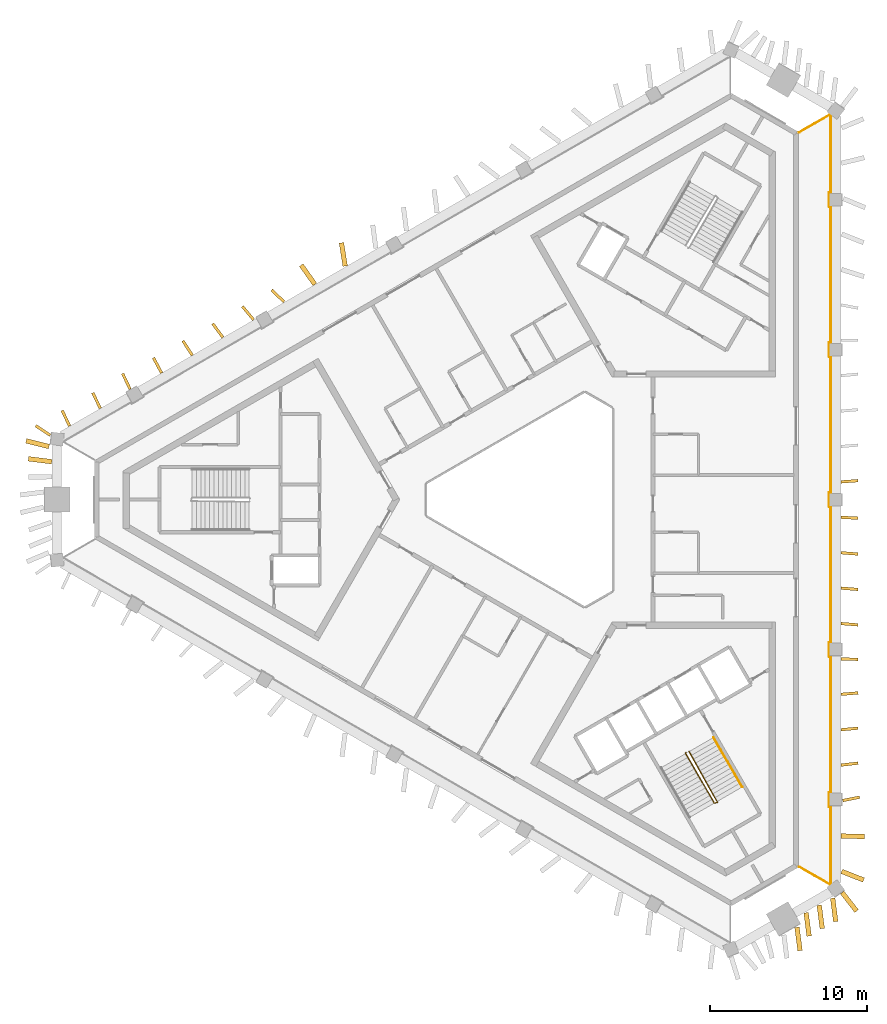
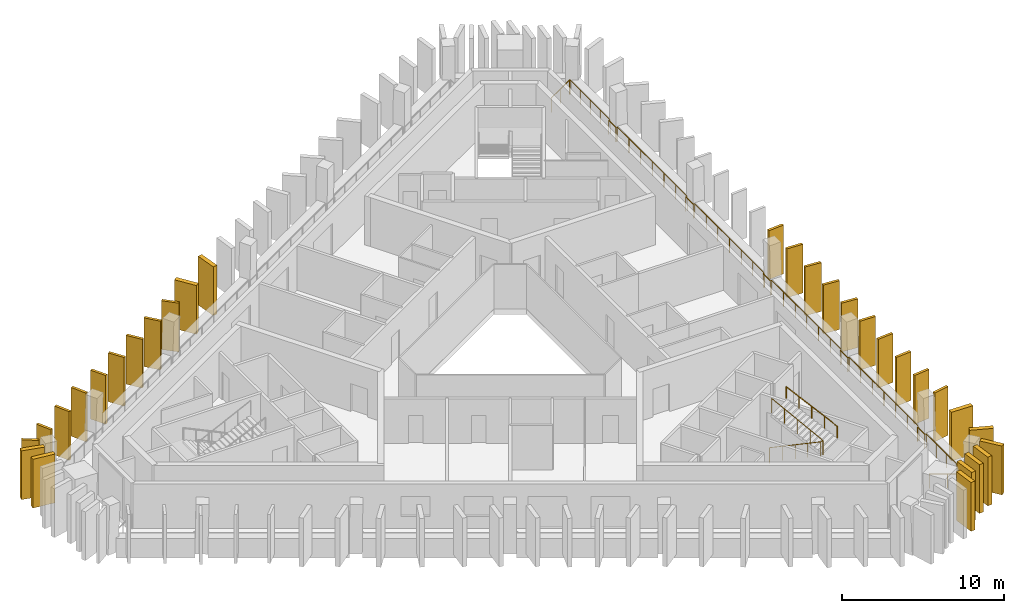
# One storey, part 7 of 8: 30 shading devices, 3 railings.
"""IFC4 building model written with IfcOpenShell, lengths in metres."""

from ifc_helpers import new_model, si_unit, direction, frame, frame_2d, origin, origin_2d, place, context, subcontext, project, spatial, rectangle, circle, extrude, material, layer, layer_set, type_object, element, save


model = new_model("IFC4")

# Units and contexts
model_context = context("Model", 3, precision=1e-05, world=origin(), true_north=direction((0.0, 1.0)))
body_context = subcontext(model_context, "Body", "Model", "MODEL_VIEW")
ifc_project = project(units=[si_unit("LENGTHUNIT", "METRE"), si_unit("AREAUNIT", "SQUARE_METRE"), si_unit("VOLUMEUNIT", "CUBIC_METRE"), si_unit("PLANEANGLEUNIT", "RADIAN"), si_unit("MASSUNIT", "GRAM", prefix="KILO")], contexts=[model_context])

# Site, building, storey
site_placement = place(None, origin())
site = spatial("IfcSite", under=ifc_project, at=site_placement, CompositionType="ELEMENT")
building_placement = place(site_placement, origin())
building = spatial("IfcBuilding", under=site, at=building_placement, Name="Jabali Bay Hotel Tower and Convention Centre", CompositionType="ELEMENT")
storey_placement = place(building_placement, frame((0.0, 0.0, 292.300048828125)))
storey = spatial("IfcBuildingStorey", under=building, at=storey_placement, Name="L72", CompositionType="ELEMENT", Elevation=292.300048828125)

# Railing
ifc_material_1 = material(Name="Glass", Category="glass")
railing_type_1 = type_object("IfcRailingType", Name="Loggia glass guard 1100", PredefinedType="BALUSTRADE", material=ifc_material_1)
railing_1_placement = place(storey_placement, frame((91.404541015625, 103.358154296875, 0.0)))
element("IfcRailing", 1, at=railing_1_placement, inside=storey, type_object=railing_type_1, Name="Loggia glass guard L72", PredefinedType="BALUSTRADE", context=body_context, shape_type="SweptSolid", body=[
    extrude(circle(Radius=0.02490234375, at=origin_2d()), frame((0.0, 0.0, 1.0751953125), z_axis=(0.866035472144, 0.499982560684, 0.0), x_axis=(-0.495705140567, 0.858626418625, 0.13052619222)), (0.0, 0.0, 1.0), 2.27490234375),
    extrude(circle(Radius=0.02490234375, at=origin_2d()), frame((1.97021484375, 1.137451171875, 1.0751953125), z_axis=(0.798426583615, -0.602092177808, 0.0), x_axis=(0.596941195761, 0.791595933509, 0.13052619222)), (0.0, 0.0, 1.0), 0.037353515625),
    extrude(circle(Radius=0.02490234375, at=origin_2d()), frame((2.0, 1.114990234375, 1.0751953125), z_axis=(0.0, -1.0, 0.0), x_axis=(0.991444861374, 0.0, 0.13052619222)), (0.0, 0.0, 1.0), 4.937744140625),
    extrude(circle(Radius=0.02490234375, at=origin_2d()), frame((2.0, -3.82275390625, 1.0751953125), z_axis=(-1.0, 0.0, 0.0), x_axis=(0.0, -0.991444861374, 0.13052619222)), (0.0, 0.0, 1.0), 0.10009765625),
    extrude(circle(Radius=0.02490234375, at=origin_2d()), frame((1.89990234375, -3.82275390625, 1.0751953125), z_axis=(0.0, -1.0, 0.0), x_axis=(0.991444861374, 0.0, 0.13052619222)), (0.0, 0.0, 1.0), 0.89990234375),
    extrude(circle(Radius=0.02490234375, at=origin_2d()), frame((1.89990234375, -4.72265625, 1.0751953125), z_axis=(1.0, 0.0, 0.0), x_axis=(0.0, 0.991444861374, 0.13052619222)), (0.0, 0.0, 1.0), 0.10009765625),
    extrude(circle(Radius=0.02490234375, at=origin_2d()), frame((2.0, -4.72265625, 1.0751953125), z_axis=(0.0, -1.0, 0.0), x_axis=(0.991444861374, 0.0, 0.13052619222)), (0.0, 0.0, 1.0), 8.642822265625),
    extrude(circle(Radius=0.02490234375, at=origin_2d()), frame((2.0, -13.365478515625, 1.0751953125), z_axis=(-1.0, 0.0, 0.0), x_axis=(0.0, -0.991444861374, 0.13052619222)), (0.0, 0.0, 1.0), 0.10009765625),
    extrude(circle(Radius=0.02490234375, at=origin_2d()), frame((1.89990234375, -13.365478515625, 1.0751953125), z_axis=(0.0, -1.0, 0.0), x_axis=(0.991444861374, 0.0, 0.13052619222)), (0.0, 0.0, 1.0), 0.89990234375),
    extrude(circle(Radius=0.02490234375, at=origin_2d()), frame((1.89990234375, -14.265380859375, 1.0751953125), z_axis=(1.0, 0.0, 0.0), x_axis=(0.0, 0.991444861374, 0.13052619222)), (0.0, 0.0, 1.0), 0.10009765625),
    extrude(circle(Radius=0.02490234375, at=origin_2d()), frame((2.0, -14.265380859375, 1.0751953125), z_axis=(0.0, -1.0, 0.0), x_axis=(0.991444861374, 0.0, 0.13052619222)), (0.0, 0.0, 1.0), 8.642822265625),
    extrude(circle(Radius=0.02490234375, at=origin_2d()), frame((2.0, -22.908203125, 1.0751953125), z_axis=(-1.0, 0.0, 0.0), x_axis=(0.0, -0.991444861374, 0.13052619222)), (0.0, 0.0, 1.0), 0.10009765625),
    extrude(circle(Radius=0.02490234375, at=origin_2d()), frame((1.89990234375, -22.908203125, 1.0751953125), z_axis=(0.0, -1.0, 0.0), x_axis=(0.991444861374, 0.0, 0.13052619222)), (0.0, 0.0, 1.0), 0.89990234375),
    extrude(circle(Radius=0.02490234375, at=origin_2d()), frame((1.89990234375, -23.80810546875, 1.0751953125), z_axis=(1.0, 0.0, 0.0), x_axis=(0.0, 0.991444861374, 0.13052619222)), (0.0, 0.0, 1.0), 0.10009765625),
    extrude(circle(Radius=0.02490234375, at=origin_2d()), frame((2.0, -23.80810546875, 1.0751953125), z_axis=(0.0, -1.0, 0.0), x_axis=(0.991444861374, 0.0, 0.13052619222)), (0.0, 0.0, 1.0), 8.642822265625),
    extrude(circle(Radius=0.02490234375, at=origin_2d()), frame((2.0, -32.450927734375, 1.0751953125), z_axis=(-1.0, 0.0, 0.0), x_axis=(0.0, -0.991444861374, 0.13052619222)), (0.0, 0.0, 1.0), 0.10009765625),
    extrude(circle(Radius=0.02490234375, at=origin_2d()), frame((1.89990234375, -32.450927734375, 1.0751953125), z_axis=(0.0, -1.0, 0.0), x_axis=(0.991444861374, 0.0, 0.13052619222)), (0.0, 0.0, 1.0), 0.89990234375),
    extrude(circle(Radius=0.02490234375, at=origin_2d()), frame((1.89990234375, -33.350830078125, 1.0751953125), z_axis=(1.0, 0.0, 0.0), x_axis=(0.0, 0.991444861374, 0.13052619222)), (0.0, 0.0, 1.0), 0.10009765625),
    extrude(circle(Radius=0.02490234375, at=origin_2d()), frame((2.0, -33.350830078125, 1.0751953125), z_axis=(0.0, -1.0, 0.0), x_axis=(0.991444861374, 0.0, 0.13052619222)), (0.0, 0.0, 1.0), 8.642822265625),
    extrude(circle(Radius=0.02490234375, at=origin_2d()), frame((2.0, -41.99365234375, 1.0751953125), z_axis=(-1.0, 0.0, 0.0), x_axis=(0.0, -0.991444861374, 0.13052619222)), (0.0, 0.0, 1.0), 0.10009765625),
    extrude(circle(Radius=0.02490234375, at=origin_2d()), frame((1.89990234375, -41.99365234375, 1.0751953125), z_axis=(0.0, -1.0, 0.0), x_axis=(0.991444861374, 0.0, 0.13052619222)), (0.0, 0.0, 1.0), 0.89990234375),
    extrude(circle(Radius=0.02490234375, at=origin_2d()), frame((1.89990234375, -42.8935546875, 1.0751953125), z_axis=(1.0, 0.0, 0.0), x_axis=(0.0, 0.991444861374, 0.13052619222)), (0.0, 0.0, 1.0), 0.10009765625),
    extrude(circle(Radius=0.02490234375, at=origin_2d()), frame((2.0, -42.8935546875, 1.0751953125), z_axis=(0.0, -1.0, 0.0), x_axis=(0.991444861374, 0.0, 0.13052619222)), (0.0, 0.0, 1.0), 4.937744140625),
    extrude(circle(Radius=0.02490234375, at=origin_2d()), frame((2.0, -47.831298828125, 1.0751953125), z_axis=(-0.798426583615, -0.602092177808, 0.0), x_axis=(0.596941195761, -0.791595933509, 0.13052619222)), (0.0, 0.0, 1.0), 0.037353515625),
    extrude(circle(Radius=0.02490234375, at=origin_2d()), frame((1.97021484375, -47.853759765625, 1.0751953125), z_axis=(-0.866035472144, 0.499982560684, 0.0), x_axis=(-0.495705140567, -0.858626418625, 0.13052619222)), (0.0, 0.0, 1.0), 2.27490234375),
    extrude(circle(Radius=0.02001953125, at=origin_2d()), origin(), (0.0, 0.0, 1.0), 1.050048828125),
    extrude(circle(Radius=0.02001953125, at=origin_2d()), frame((0.985107421875, 0.56884765625, 0.0)), (0.0, 0.0, 1.0), 1.050048828125),
    extrude(circle(Radius=0.02001953125, at=origin_2d()), frame((1.97021484375, 1.137451171875, 0.0)), (0.0, 0.0, 1.0), 1.050048828125),
    extrude(circle(Radius=0.02001953125, at=origin_2d()), frame((2.0, 1.114990234375, 0.0)), (0.0, 0.0, 1.0), 1.050048828125),
    extrude(circle(Radius=0.02001953125, at=origin_2d()), frame((2.0, -0.119384765625, 0.0)), (0.0, 0.0, 1.0), 1.050048828125),
    extrude(circle(Radius=0.02001953125, at=origin_2d()), frame((2.0, -1.35400390625, 0.0)), (0.0, 0.0, 1.0), 1.050048828125),
    extrude(circle(Radius=0.02001953125, at=origin_2d()), frame((2.0, -2.58837890625, 0.0)), (0.0, 0.0, 1.0), 1.050048828125),
    extrude(circle(Radius=0.02001953125, at=origin_2d()), frame((2.0, -3.82275390625, 0.0)), (0.0, 0.0, 1.0), 1.050048828125),
    extrude(circle(Radius=0.02001953125, at=origin_2d()), frame((1.89990234375, -3.82275390625, 0.0)), (0.0, 0.0, 1.0), 1.050048828125),
    extrude(circle(Radius=0.02001953125, at=origin_2d()), frame((1.89990234375, -4.72265625, 0.0)), (0.0, 0.0, 1.0), 1.050048828125),
    extrude(circle(Radius=0.02001953125, at=origin_2d()), frame((2.0, -4.72265625, 0.0)), (0.0, 0.0, 1.0), 1.050048828125),
    extrude(circle(Radius=0.02001953125, at=origin_2d()), frame((2.0, -6.1630859375, 0.0)), (0.0, 0.0, 1.0), 1.050048828125),
    extrude(circle(Radius=0.02001953125, at=origin_2d()), frame((2.0, -7.603515625, 0.0)), (0.0, 0.0, 1.0), 1.050048828125),
    extrude(circle(Radius=0.02001953125, at=origin_2d()), frame((2.0, -9.0439453125, 0.0)), (0.0, 0.0, 1.0), 1.050048828125),
    extrude(circle(Radius=0.02001953125, at=origin_2d()), frame((2.0, -10.484619140625, 0.0)), (0.0, 0.0, 1.0), 1.050048828125),
    extrude(circle(Radius=0.02001953125, at=origin_2d()), frame((2.0, -11.925048828125, 0.0)), (0.0, 0.0, 1.0), 1.050048828125),
    extrude(circle(Radius=0.02001953125, at=origin_2d()), frame((2.0, -13.365478515625, 0.0)), (0.0, 0.0, 1.0), 1.050048828125),
    extrude(circle(Radius=0.02001953125, at=origin_2d()), frame((1.89990234375, -13.365478515625, 0.0)), (0.0, 0.0, 1.0), 1.050048828125),
    extrude(circle(Radius=0.02001953125, at=origin_2d()), frame((1.89990234375, -14.265380859375, 0.0)), (0.0, 0.0, 1.0), 1.050048828125),
    extrude(circle(Radius=0.02001953125, at=origin_2d()), frame((2.0, -14.265380859375, 0.0)), (0.0, 0.0, 1.0), 1.050048828125),
    extrude(circle(Radius=0.02001953125, at=origin_2d()), frame((2.0, -15.705810546875, 0.0)), (0.0, 0.0, 1.0), 1.050048828125),
    extrude(circle(Radius=0.02001953125, at=origin_2d()), frame((2.0, -17.146240234375, 0.0)), (0.0, 0.0, 1.0), 1.050048828125),
    extrude(circle(Radius=0.02001953125, at=origin_2d()), frame((2.0, -18.5869140625, 0.0)), (0.0, 0.0, 1.0), 1.050048828125),
    extrude(circle(Radius=0.02001953125, at=origin_2d()), frame((2.0, -20.02734375, 0.0)), (0.0, 0.0, 1.0), 1.050048828125),
    extrude(circle(Radius=0.02001953125, at=origin_2d()), frame((2.0, -21.4677734375, 0.0)), (0.0, 0.0, 1.0), 1.050048828125),
    extrude(circle(Radius=0.02001953125, at=origin_2d()), frame((2.0, -22.908203125, 0.0)), (0.0, 0.0, 1.0), 1.050048828125),
    extrude(circle(Radius=0.02001953125, at=origin_2d()), frame((1.89990234375, -22.908203125, 0.0)), (0.0, 0.0, 1.0), 1.050048828125),
    extrude(circle(Radius=0.02001953125, at=origin_2d()), frame((1.89990234375, -23.80810546875, 0.0)), (0.0, 0.0, 1.0), 1.050048828125),
    extrude(circle(Radius=0.02001953125, at=origin_2d()), frame((2.0, -23.80810546875, 0.0)), (0.0, 0.0, 1.0), 1.050048828125),
    extrude(circle(Radius=0.02001953125, at=origin_2d()), frame((2.0, -25.24853515625, 0.0)), (0.0, 0.0, 1.0), 1.050048828125),
    extrude(circle(Radius=0.02001953125, at=origin_2d()), frame((2.0, -26.68896484375, 0.0)), (0.0, 0.0, 1.0), 1.050048828125),
    extrude(circle(Radius=0.02001953125, at=origin_2d()), frame((2.0, -28.12939453125, 0.0)), (0.0, 0.0, 1.0), 1.050048828125),
    extrude(circle(Radius=0.02001953125, at=origin_2d()), frame((2.0, -29.570068359375, 0.0)), (0.0, 0.0, 1.0), 1.050048828125),
    extrude(circle(Radius=0.02001953125, at=origin_2d()), frame((2.0, -31.010498046875, 0.0)), (0.0, 0.0, 1.0), 1.050048828125),
    extrude(circle(Radius=0.02001953125, at=origin_2d()), frame((2.0, -32.450927734375, 0.0)), (0.0, 0.0, 1.0), 1.050048828125),
    extrude(circle(Radius=0.02001953125, at=origin_2d()), frame((1.89990234375, -32.450927734375, 0.0)), (0.0, 0.0, 1.0), 1.050048828125),
    extrude(circle(Radius=0.02001953125, at=origin_2d()), frame((1.89990234375, -33.350830078125, 0.0)), (0.0, 0.0, 1.0), 1.050048828125),
    extrude(circle(Radius=0.02001953125, at=origin_2d()), frame((2.0, -33.350830078125, 0.0)), (0.0, 0.0, 1.0), 1.050048828125),
    extrude(circle(Radius=0.02001953125, at=origin_2d()), frame((2.0, -34.791259765625, 0.0)), (0.0, 0.0, 1.0), 1.050048828125),
    extrude(circle(Radius=0.02001953125, at=origin_2d()), frame((2.0, -36.231689453125, 0.0)), (0.0, 0.0, 1.0), 1.050048828125),
    extrude(circle(Radius=0.02001953125, at=origin_2d()), frame((2.0, -37.67236328125, 0.0)), (0.0, 0.0, 1.0), 1.050048828125),
    extrude(circle(Radius=0.02001953125, at=origin_2d()), frame((2.0, -39.11279296875, 0.0)), (0.0, 0.0, 1.0), 1.050048828125),
    extrude(circle(Radius=0.02001953125, at=origin_2d()), frame((2.0, -40.55322265625, 0.0)), (0.0, 0.0, 1.0), 1.050048828125),
    extrude(circle(Radius=0.02001953125, at=origin_2d()), frame((2.0, -41.99365234375, 0.0)), (0.0, 0.0, 1.0), 1.050048828125),
    extrude(circle(Radius=0.02001953125, at=origin_2d()), frame((1.89990234375, -41.99365234375, 0.0)), (0.0, 0.0, 1.0), 1.050048828125),
    extrude(circle(Radius=0.02001953125, at=origin_2d()), frame((1.89990234375, -42.8935546875, 0.0)), (0.0, 0.0, 1.0), 1.050048828125),
    extrude(circle(Radius=0.02001953125, at=origin_2d()), frame((2.0, -42.8935546875, 0.0)), (0.0, 0.0, 1.0), 1.050048828125),
    extrude(circle(Radius=0.02001953125, at=origin_2d()), frame((2.0, -44.1279296875, 0.0)), (0.0, 0.0, 1.0), 1.050048828125),
    extrude(circle(Radius=0.02001953125, at=origin_2d()), frame((2.0, -45.3623046875, 0.0)), (0.0, 0.0, 1.0), 1.050048828125),
    extrude(circle(Radius=0.02001953125, at=origin_2d()), frame((2.0, -46.596923828125, 0.0)), (0.0, 0.0, 1.0), 1.050048828125),
    extrude(circle(Radius=0.02001953125, at=origin_2d()), frame((2.0, -47.831298828125, 0.0)), (0.0, 0.0, 1.0), 1.050048828125),
    extrude(circle(Radius=0.02001953125, at=origin_2d()), frame((1.97021484375, -47.853759765625, 0.0)), (0.0, 0.0, 1.0), 1.050048828125),
    extrude(circle(Radius=0.02001953125, at=origin_2d()), frame((0.985107421875, -47.28515625, 0.0)), (0.0, 0.0, 1.0), 1.050048828125),
    extrude(circle(Radius=0.02001953125, at=origin_2d()), frame((0.0, -46.71630859375, 0.0)), (0.0, 0.0, 1.0), 1.050048828125),
])

# Shading devices
ifc_material_2 = material(Name="Precast concrete C60", Category="concrete")
ifc_layer_1 = layer(ifc_material_2, 0.179931640625)
ifc_layer_set_1 = layer_set([ifc_layer_1], Name="Precast concrete C60")
shading_device_type_1 = type_object("IfcShadingDeviceType", Name="Precast fin 3680 x 1100", PredefinedType="USERDEFINED", material=ifc_layer_set_1)
shading_device_1_placement = place(storey_placement, frame((94.172119140625, 60.857666015625, 0.010009765625), z_axis=(0.0, 0.0, 1.0), x_axis=(0.980512312824, 0.196457640219, 0.0)))
element("IfcShadingDevice", 2, at=shading_device_1_placement, inside=storey, type_object=shading_device_type_1, Name="Fin L72 002", ObjectType="FIN", PredefinedType="USERDEFINED", context=body_context, shape_type="SweptSolid", body=[
    extrude(rectangle(XDim=1.099853515625, YDim=0.179931640625, at=frame_2d((0.5498046875, 0.0))), origin(), (0.0, 0.0, 1.0), 3.679931640625),
])
for number, where, z_axis, x_axis, name in (
    (3, (94.057373046875, 63.109619140625, 0.010009765625), (0.0, 0.0, 1.0), (0.993033475838, 0.117832575569, 0.0), "Fin L72 003"),
    (4, (94.054931640625, 65.361572265625, 0.010009765625), (0.0, 0.0, 1.0), (0.995891387001, 0.090555757944, 0.0), "Fin L72 004"),
    (5, (94.05419921875, 67.61376953125, 0.010009765625), (0.0, 0.0, 1.0), (0.996568675708, 0.082770010251, 0.0), "Fin L72 005"),
    (6, (94.04931640625, 69.86572265625, 0.010009765625), (0.0, 0.0, 1.0), (0.999639330866, -0.026855319502, 0.0), "Fin L72 006"),
    (7, (94.053955078125, 72.117919921875, 0.010009765625), (0.0, 0.0, 1.0), (0.996821625753, -0.079665842308, 0.0), "Fin L72 007"),
    (8, (94.053955078125, 74.369873046875, 0.010009765625), (0.0, 0.0, 1.0), (0.996839224167, -0.079445334428, 0.0), "Fin L72 008"),
    (9, (94.053955078125, 76.621826171875, 0.010009765625), (0.0, 0.0, 1.0), (0.99685677442, -0.079224814886, 0.0), "Fin L72 009"),
):
    element("IfcShadingDevice", number, at=place(storey_placement, frame(where, z_axis=z_axis, x_axis=x_axis)), inside=storey, type_object=shading_device_type_1, Name=name, ObjectType="FIN", PredefinedType="USERDEFINED", context=body_context, shape_type="SweptSolid", body=[
        extrude(rectangle(XDim=1.10009765625, YDim=0.179931640625, at=frame_2d((0.550048828125, 0.0))), origin(), (0.0, 0.0, 1.0), 3.679931640625),
    ])
for number, where, z_axis, x_axis, name in (
    (10, (94.051513671875, 78.8740234375, 0.010009765625), (0.0, 0.0, 1.0), (0.998707096546, -0.050834391, 0.0), "Fin L72 010"),
    (11, (94.053466796875, 81.1259765625, 0.010009765625), (0.0, 0.0, 1.0), (0.997329781768, 0.073029489918, 0.0), "Fin L72 011"),
):
    element("IfcShadingDevice", number, at=place(storey_placement, frame(where, z_axis=z_axis, x_axis=x_axis)), inside=storey, type_object=shading_device_type_1, Name=name, ObjectType="FIN", PredefinedType="USERDEFINED", context=body_context, shape_type="SweptSolid", body=[
        extrude(rectangle(XDim=1.099853515625, YDim=0.179931640625, at=frame_2d((0.5498046875, 0.0))), origin(), (0.0, 0.0, 1.0), 3.679931640625),
    ])
for number, where, z_axis, x_axis, name in (
    (12, (58.637939453125, 92.57568359375, 0.010009765625), (0.0, 0.0, 1.0), (-0.721710987806, 0.692194517517, 0.0), "Fin L72 044"),
    (13, (56.692626953125, 91.44091796875, 0.010009765625), (0.0, 0.0, 1.0), (-0.637758436736, 0.770236441862, 0.0), "Fin L72 045"),
):
    element("IfcShadingDevice", number, at=place(storey_placement, frame(where, z_axis=z_axis, x_axis=x_axis)), inside=storey, type_object=shading_device_type_1, Name=name, ObjectType="FIN", PredefinedType="USERDEFINED", context=body_context, shape_type="SweptSolid", body=[
        extrude(rectangle(XDim=1.10009765625, YDim=0.179931640625, at=frame_2d((0.550048828125, 0.0))), origin(), (0.0, 0.0, 1.0), 3.679931640625),
    ])
shading_device_2_placement = place(storey_placement, frame((54.744873046875, 90.310302734375, 0.010009765625), z_axis=(0.0, 0.0, 1.0), x_axis=(-0.589292908967, 0.807919468414, 0.0)))
element("IfcShadingDevice", 14, at=shading_device_2_placement, inside=storey, type_object=shading_device_type_1, Name="Fin L72 046", ObjectType="FIN", PredefinedType="USERDEFINED", context=body_context, shape_type="SweptSolid", body=[
    extrude(rectangle(XDim=1.099853515625, YDim=0.179931640625, at=frame_2d((0.5498046875, 0.0))), origin(), (0.0, 0.0, 1.0), 3.679931640625),
])
shading_device_3_placement = place(storey_placement, frame((52.797119140625, 89.1796875, 0.010009765625), z_axis=(0.0, 0.0, 1.0), x_axis=(-0.542192585058, 0.840254247658, 0.0)))
element("IfcShadingDevice", 15, at=shading_device_3_placement, inside=storey, type_object=shading_device_type_1, Name="Fin L72 047", ObjectType="FIN", PredefinedType="USERDEFINED", context=body_context, shape_type="SweptSolid", body=[
    extrude(rectangle(XDim=1.10009765625, YDim=0.179931640625, at=frame_2d((0.550048828125, 0.0))), origin(), (0.0, 0.0, 1.0), 3.679931640625),
])
shading_device_4_placement = place(storey_placement, frame((50.84765625, 88.052490234375, 0.010009765625), z_axis=(0.0, 0.0, 1.0), x_axis=(-0.471901080616, 0.881651501509, 0.0)))
element("IfcShadingDevice", 16, at=shading_device_4_placement, inside=storey, type_object=shading_device_type_1, Name="Fin L72 048", ObjectType="FIN", PredefinedType="USERDEFINED", context=body_context, shape_type="SweptSolid", body=[
    extrude(rectangle(XDim=1.099853515625, YDim=0.179931640625, at=frame_2d((0.5498046875, 0.0))), origin(), (0.0, 0.0, 1.0), 3.679931640625),
])
for number, where, z_axis, x_axis, name in (
    (17, (48.84130859375, 87.023193359375, 0.010009765625), (0.0, 0.0, 1.0), (-0.429011543088, 0.903299006917, 0.0), "Fin L72 049"),
    (18, (46.94482421875, 85.803955078125, 0.010009765625), (0.0, 0.0, 1.0), (-0.429459687257, 0.90308602969, 0.0), "Fin L72 050"),
):
    element("IfcShadingDevice", number, at=place(storey_placement, frame(where, z_axis=z_axis, x_axis=x_axis)), inside=storey, type_object=shading_device_type_1, Name=name, ObjectType="FIN", PredefinedType="USERDEFINED", context=body_context, shape_type="SweptSolid", body=[
        extrude(rectangle(XDim=1.10009765625, YDim=0.179931640625, at=frame_2d((0.550048828125, 0.0))), origin(), (0.0, 0.0, 1.0), 3.679931640625),
    ])
shading_device_5_placement = place(storey_placement, frame((44.994384765625, 84.677978515625, 0.010009765625), z_axis=(0.0, 0.0, 1.0), x_axis=(-0.429726783493, 0.902958964488, 0.0)))
element("IfcShadingDevice", 19, at=shading_device_5_placement, inside=storey, type_object=shading_device_type_1, Name="Fin L72 051", ObjectType="FIN", PredefinedType="USERDEFINED", context=body_context, shape_type="SweptSolid", body=[
    extrude(rectangle(XDim=1.099853515625, YDim=0.179931640625, at=frame_2d((0.5498046875, 0.0))), origin(), (0.0, 0.0, 1.0), 3.679931640625),
])
shading_device_6_placement = place(storey_placement, frame((43.755859375, 84.09423828125, 0.010009765625), z_axis=(0.0, 0.0, 1.0), x_axis=(-0.83385558936, 0.551982659233, 0.0)))
element("IfcShadingDevice", 20, at=shading_device_6_placement, inside=storey, type_object=shading_device_type_1, Name="Fin L72 093", ObjectType="FIN", PredefinedType="USERDEFINED", context=body_context, shape_type="SweptSolid", body=[
    extrude(rectangle(XDim=1.10009765625, YDim=0.179931640625, at=frame_2d((0.550048828125, 0.0))), origin(), (0.0, 0.0, 1.0), 3.679931640625),
])
ifc_layer_2 = layer(ifc_material_2, 0.300048828125)
ifc_layer_set_2 = layer_set([ifc_layer_2], Name="Precast concrete C60")
shading_device_type_2 = type_object("IfcShadingDeviceType", Name="Precast fin 3680 x 1500", PredefinedType="USERDEFINED", material=ifc_layer_set_2)
for number, where, z_axis, x_axis, name in (
    (21, (94.101806640625, 56.353515625, 0.010009765625), (0.0, 0.0, 1.0), (0.930715877582, -0.365743018001, 0.0), "Fin L72 000"),
    (22, (94.05078125, 58.60546875, 0.010009765625), (0.0, 0.0, 1.0), (0.999656617314, -0.026203958871, 0.0), "Fin L72 001"),
    (23, (62.5244140625, 94.852294921875, 0.010009765625), (0.0, 0.0, 1.0), (-0.158193618683, 0.987408111678, 0.0), "Fin L72 042"),
    (24, (60.593994140625, 93.69189453125, 0.010009765625), (0.0, 0.0, 1.0), (-0.576996277454, 0.816746775815, 0.0), "Fin L72 043"),
    (25, (43.6875, 83.37353515625, 0.010009765625), (0.0, 0.0, 1.0), (-0.969613608495, 0.244641472816, 0.0), "Fin L72 052"),
    (26, (43.86376953125, 82.40966796875, 0.010009765625), (0.0, 0.0, 1.0), (-0.992320385108, 0.123694192666, 0.0), "Fin L72 053"),
    (27, (91.261474609375, 52.79833984375, 0.010009765625), (0.0, 0.0, 1.0), (0.128580707026, -0.991699047988, 0.0), "Fin L72 086"),
    (28, (91.83984375, 53.724365234375, 0.010009765625), (0.0, 0.0, 1.0), (0.128580707026, -0.991699047988, 0.0), "Fin L72 087"),
    (29, (92.674560546875, 54.206298828125, 0.010009765625), (0.0, 0.0, 1.0), (0.128580707026, -0.991699047988, 0.0), "Fin L72 088"),
    (30, (93.5322265625, 54.6484375, 0.010009765625), (0.0, 0.0, 1.0), (0.128580707026, -0.991699047988, 0.0), "Fin L72 089"),
    (31, (94.132080078125, 55.00927734375, 0.010009765625), (0.0, 0.0, 1.0), (0.614560142506, -0.788869971062, 0.0), "Fin L72 090"),
):
    element("IfcShadingDevice", number, at=place(storey_placement, frame(where, z_axis=z_axis, x_axis=x_axis)), inside=storey, type_object=shading_device_type_2, Name=name, ObjectType="FIN", PredefinedType="USERDEFINED", context=body_context, shape_type="SweptSolid", body=[
        extrude(rectangle(XDim=1.5, YDim=0.300048828125, at=frame_2d((0.75, 0.0))), origin(), (0.0, 0.0, 1.0), 3.679931640625),
    ])

# Railings
ifc_material_3 = material(Name="Steel Q355B", Category="steel")
railing_type_2 = type_object("IfcRailingType", Name="Stair guard 1100", PredefinedType="GUARDRAIL", material=ifc_material_3)
railing_2_placement = place(storey_placement, frame((84.199951171875, 63.9150390625, 0.0)))
element("IfcRailing", 32, at=railing_2_placement, inside=storey, type_object=railing_type_2, Name="L72 ST3 stair guard 1", PredefinedType="GUARDRAIL", context=body_context, shape_type="SweptSolid", body=[
    extrude(circle(Radius=0.02392578125, at=origin_2d()), frame((0.0, 0.0, 1.076171875), z_axis=(-0.122196845461, -0.456201556387, 0.881446578591), x_axis=(0.965948051503, -0.258736085224, 0.0)), (0.0, 0.0, 1.0), 0.14990234375),
    extrude(circle(Radius=0.02392578125, at=origin_2d()), frame((-0.018310546875, -0.068359375, 1.2080078125), z_axis=(0.452190331055, -0.783190014029, 0.426775475427), x_axis=(0.866018046521, 0.500012742938, 0.0)), (0.0, 0.0, 1.0), 4.02490234375),
    extrude(circle(Radius=0.02392578125, at=origin_2d()), frame((1.8017578125, -3.220703125, 2.92578125), z_axis=(0.96121063429, 0.275815366736, 0.0), x_axis=(-0.275815366736, 0.96121063429, 0.0)), (0.0, 0.0, 1.0), 0.206298828125),
    extrude(circle(Radius=0.02392578125, at=origin_2d()), frame((2.0, -3.163818359375, 2.92578125), z_axis=(-0.436470229993, 0.780146179382, 0.448180406895), x_axis=(-0.872702246529, -0.488252792008, 0.0)), (0.0, 0.0, 1.0), 4.1279296875),
    extrude(circle(Radius=0.02099609375, at=origin_2d()), origin(), (0.0, 0.0, 1.0), 1.052001953125),
    extrude(circle(Radius=0.02099609375, at=origin_2d()), frame((-0.018310546875, -0.068359375, 0.132080078125)), (0.0, 0.0, 1.0), 1.052001953125),
    extrude(circle(Radius=0.02099609375, at=origin_2d()), frame((0.436767578125, -0.8564453125, 0.5615234375)), (0.0, 0.0, 1.0), 1.052001953125),
    extrude(circle(Radius=0.02099609375, at=origin_2d()), frame((0.8916015625, -1.64453125, 0.990966796875)), (0.0, 0.0, 1.0), 1.052001953125),
    extrude(circle(Radius=0.02099609375, at=origin_2d()), frame((1.3466796875, -2.4326171875, 1.42041015625)), (0.0, 0.0, 1.0), 1.052001953125),
    extrude(circle(Radius=0.02099609375, at=origin_2d()), frame((1.8017578125, -3.220703125, 1.849853515625)), (0.0, 0.0, 1.0), 1.052001953125),
    extrude(circle(Radius=0.02099609375, at=origin_2d()), frame((2.0, -3.163818359375, 1.849853515625)), (0.0, 0.0, 1.0), 1.052001953125),
    extrude(circle(Radius=0.02099609375, at=origin_2d()), frame((1.549560546875, -2.358642578125, 2.3125)), (0.0, 0.0, 1.0), 1.052001953125),
    extrude(circle(Radius=0.02099609375, at=origin_2d()), frame((1.09912109375, -1.5537109375, 2.77490234375)), (0.0, 0.0, 1.0), 1.052001953125),
    extrude(circle(Radius=0.02099609375, at=origin_2d()), frame((0.648681640625, -0.74853515625, 3.2373046875)), (0.0, 0.0, 1.0), 1.052001953125),
    extrude(circle(Radius=0.02099609375, at=origin_2d()), frame((0.1982421875, 0.056640625, 3.699951171875)), (0.0, 0.0, 1.0), 1.052001953125),
])
railing_type_3 = type_object("IfcRailingType", Name="Stair handrail 900", PredefinedType="HANDRAIL", material=ifc_material_3)
railing_3_placement = place(storey_placement, frame((87.777099609375, 61.719482421875, 1.982177734375)))
element("IfcRailing", 33, at=railing_3_placement, inside=storey, type_object=railing_type_3, Name="L72 ST3 stair handrail 2", PredefinedType="HANDRAIL", context=body_context, shape_type="SweptSolid", body=[
    extrude(circle(Radius=0.02392578125, at=origin_2d()), frame((0.0, 0.0, 0.8759765625), z_axis=(-0.452190331055, 0.783190014029, 0.426775475427), x_axis=(-0.866018046521, -0.500012742938, 0.0)), (0.0, 0.0, 1.0), 4.02490234375),
    extrude(circle(Radius=0.02099609375, at=origin_2d()), origin(), (0.0, 0.0, 1.0), 0.851806640625),
    extrude(circle(Radius=0.02099609375, at=origin_2d()), frame((-0.455078125, 0.7880859375, 0.429443359375)), (0.0, 0.0, 1.0), 0.851806640625),
    extrude(circle(Radius=0.02099609375, at=origin_2d()), frame((-0.91015625, 1.576171875, 0.85888671875)), (0.0, 0.0, 1.0), 0.851806640625),
    extrude(circle(Radius=0.02099609375, at=origin_2d()), frame((-1.364990234375, 2.3642578125, 1.288330078125)), (0.0, 0.0, 1.0), 0.851806640625),
    extrude(circle(Radius=0.02099609375, at=origin_2d()), frame((-1.820068359375, 3.15234375, 1.7177734375)), (0.0, 0.0, 1.0), 0.851806640625),
])

save(model, "model.ifc")
